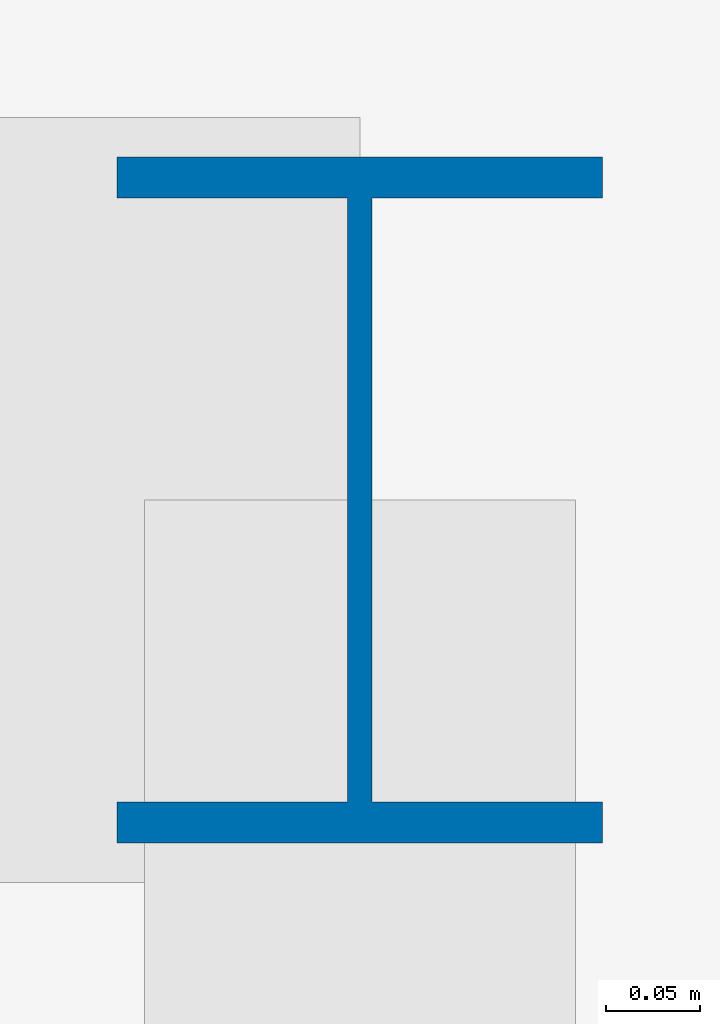
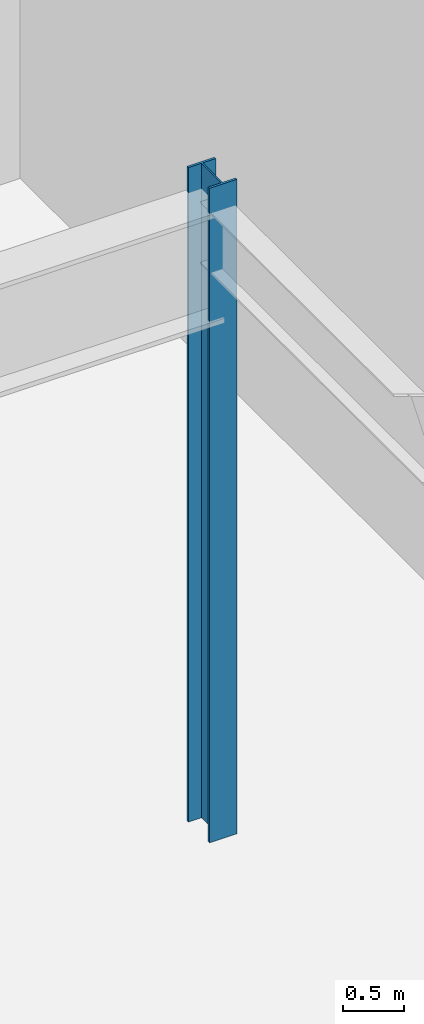
# One storey, part 3 of 15: 1 column.
"""IFC4 building model written with IfcOpenShell, lengths in metres."""

from ifc_helpers import new_model, si_unit, derived_unit, direction, frame, origin, origin_2d, place, context, subcontext, project, spatial, i_section, extrude, source, transform, mapped, material, material_profile, profile_set, type_object, element, save


model = new_model("IFC4")

# Units and contexts
model_context = context("Model", 3, precision=1e-05, world=origin(), true_north=direction((0.0, 1.0)))
body_context = subcontext(model_context, "Body", "Model", "MODEL_VIEW")
ifc_project = project(units=[si_unit("LENGTHUNIT", "METRE"), si_unit("AREAUNIT", "SQUARE_METRE"), si_unit("VOLUMEUNIT", "CUBIC_METRE"), si_unit("PLANEANGLEUNIT", "RADIAN"), si_unit("MASSUNIT", "GRAM", prefix="KILO"), derived_unit("THERMALTRANSMITTANCEUNIT", [(si_unit("POWERUNIT", "WATT"), 1), (si_unit("LENGTHUNIT", "METRE"), -2), (si_unit("THERMODYNAMICTEMPERATUREUNIT", "KELVIN"), -1)])], contexts=[model_context])

# Site, building, storey
site_placement = place(None, origin())
site = spatial("IfcSite", under=ifc_project, at=site_placement, CompositionType="ELEMENT")
building_placement = place(site_placement, origin())
building = spatial("IfcBuilding", under=site, at=building_placement, Name="Skarnbrae Concourse Arena and Tower", CompositionType="ELEMENT")
storey_placement = place(building_placement, frame((0.0, 0.0, 26.0)))
storey = spatial("IfcBuildingStorey", under=building, at=storey_placement, Name="L05", CompositionType="ELEMENT", Elevation=26.0)

# Column
ifc_material = material(Name="Steel CSA G40.21 350W", Category="steel")
ifc_material_profile = material_profile(ifc_material, i_section(OverallWidth=0.257080078125, OverallDepth=0.363037109375, WebThickness=0.012939453125, FlangeThickness=0.021728515625, at=origin_2d()), Name="W360X122")
ifc_profile_set = profile_set([ifc_material_profile], Name="Steel CSA G40.21 350W")
column_type = type_object("IfcColumnType", Name="COL-POD-W360X122", PredefinedType="COLUMN", material=ifc_profile_set)
shared_shape = source(origin(), body_context, "Body", "SweptSolid", [
    extrude(i_section(OverallWidth=0.257080078125, OverallDepth=0.363037109375, WebThickness=0.012939453125, FlangeThickness=0.021728515625, at=origin_2d()), origin(), (0.0, 0.0, 1.0), 6.5),
])
column_placement = place(storey_placement, frame((78.5, 47.0, 0.0), z_axis=(0.0, 0.0, 1.0), x_axis=(1.0, 0.0, 0.0)))
element("IfcColumn", 1, at=column_placement, inside=storey, type_object=column_type, Name="L05 Podium mega-column PC-EP4", PredefinedType="COLUMN", context=body_context, shape_type="MappedRepresentation", body=[
    mapped(shared_shape, transform((0.0, 0.0, 0.0))),
])

save(model, "model.ifc")
